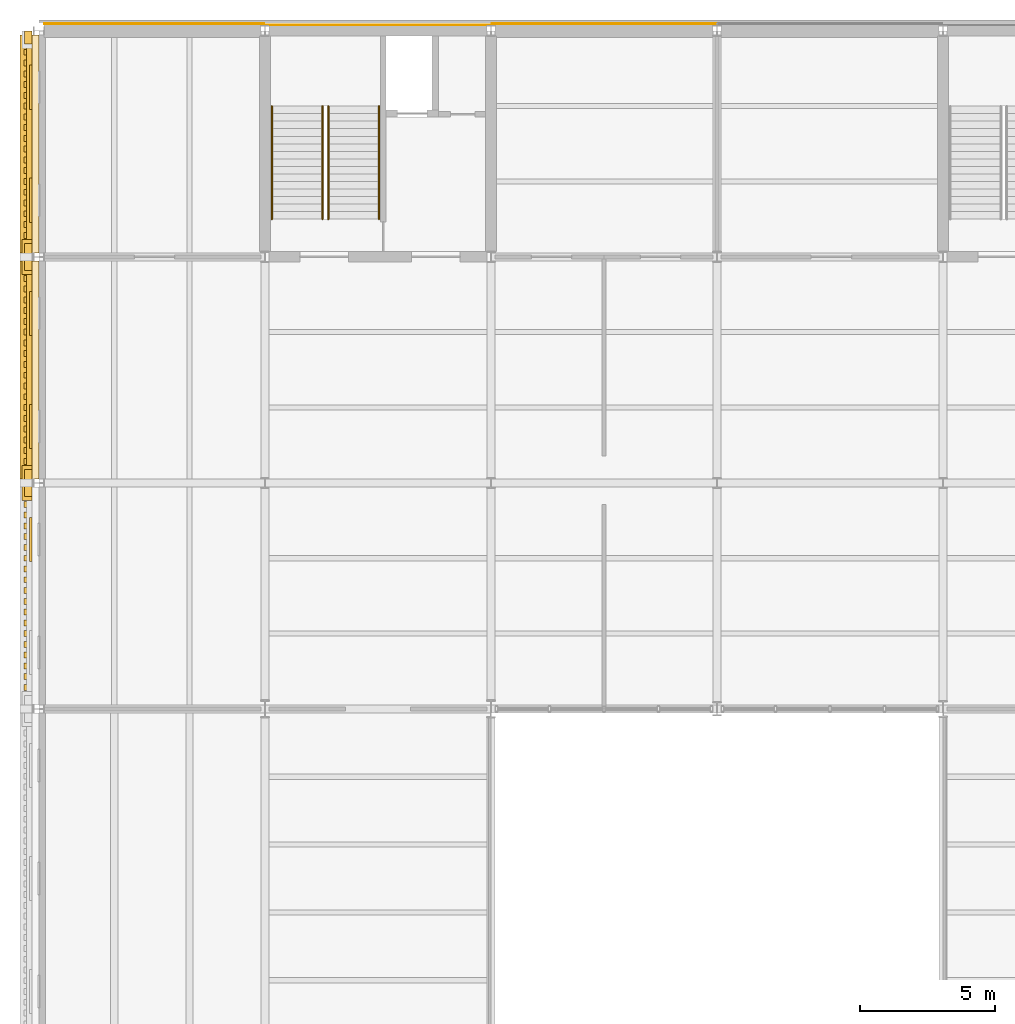
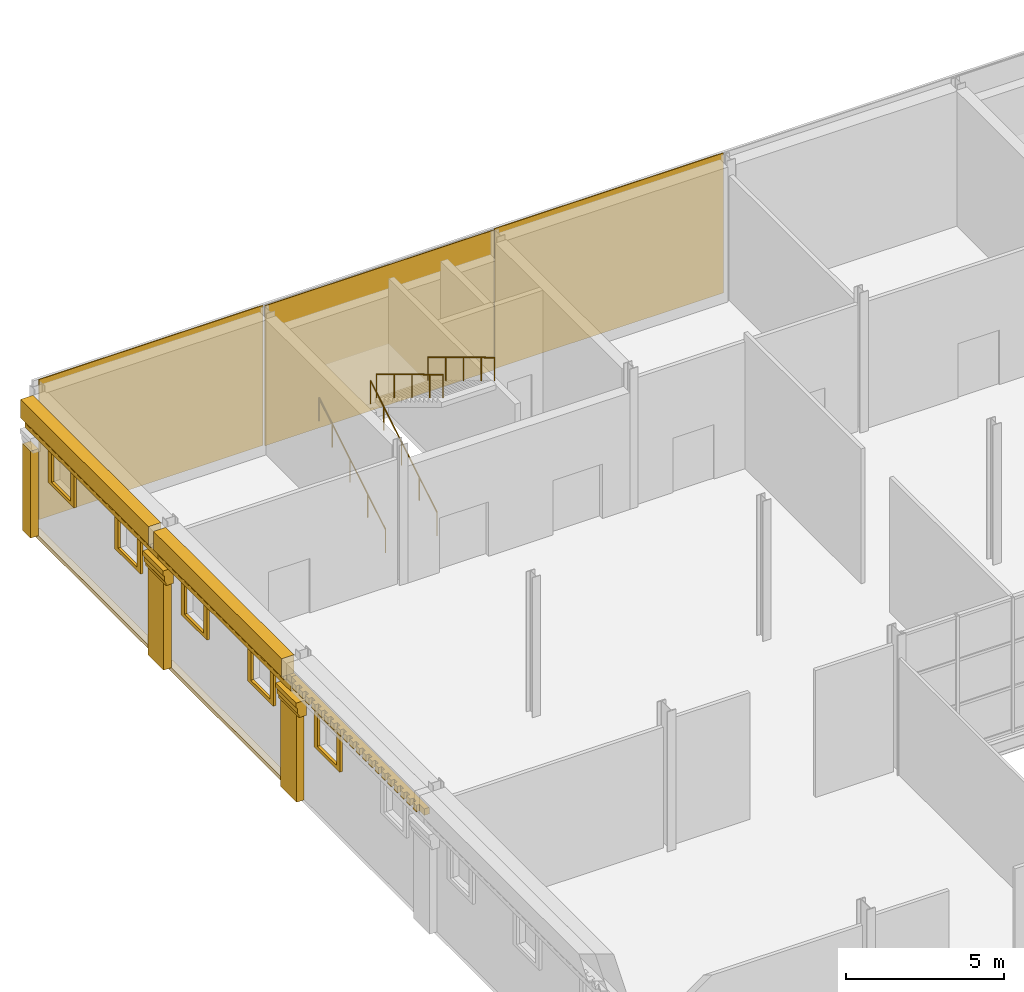
# One storey, part 41 of 57: 22 coverings, 4 railings.
"""IFC4 building model written with IfcOpenShell, lengths in metres."""

from ifc_helpers import new_model, si_unit, direction, frame, origin, origin_2d, place, context, subcontext, project, spatial, polyline, rectangle, circle, outline, extrude, material, layer, layer_set, type_object, element, save


model = new_model("IFC4")

# Units and contexts
model_context = context("Model", 3, precision=1e-05, world=origin(), true_north=direction((0.0, 1.0)))
body_context = subcontext(model_context, "Body", "Model", "MODEL_VIEW")
ifc_project = project(units=[si_unit("LENGTHUNIT", "METRE"), si_unit("AREAUNIT", "SQUARE_METRE"), si_unit("VOLUMEUNIT", "CUBIC_METRE"), si_unit("PLANEANGLEUNIT", "RADIAN"), si_unit("MASSUNIT", "GRAM", prefix="KILO")], contexts=[model_context])

# Site, building, storey
site_placement = place(None, origin())
site = spatial("IfcSite", under=ifc_project, at=site_placement, CompositionType="ELEMENT")
building_placement = place(site_placement, origin())
building = spatial("IfcBuilding", under=site, at=building_placement, Name="Galleria Vessillo Department Store", CompositionType="ELEMENT")
storey_placement = place(building_placement, frame((0.0, 0.0, 25.800048828125)))
storey = spatial("IfcBuildingStorey", under=building, at=storey_placement, Name="L05", CompositionType="ELEMENT", Elevation=25.800048828125)

# Coverings
ifc_material_1 = material(Name="Lime plaster (intonaco) ochre")
ifc_layer_1 = layer(ifc_material_1, 0.030029296875)
ifc_layer_set_1 = layer_set([ifc_layer_1], Name="Lime plaster (intonaco) ochre")
covering_type_1 = type_object("IfcCoveringType", Name="Lime plaster render 30 mm", PredefinedType="CLADDING", material=ifc_layer_set_1)
covering_1_placement = place(storey_placement, frame((4.284912109375, 63.264892578125, 0.0), z_axis=(0.0, 0.0, 1.0), x_axis=(1.0, 0.0, 0.0)))
element("IfcCovering", 1, at=covering_1_placement, inside=storey, type_object=covering_type_1, Name="Wall cladding S-PN-L05-01", PredefinedType="CLADDING", context=body_context, shape_type="SweptSolid", body=[
    extrude(rectangle(XDim=8.170166015625, YDim=0.030029296875, at=origin_2d()), origin(), (0.0, 0.0, 1.0), 5.39990234375),
])
for number, where, z_axis, x_axis, name in (
    (2, (12.599853515625, 63.215087890625, 0.0), (0.0, 0.0, 1.0), (1.0, 0.0, 0.0), "Wall cladding S-CW-PC-NW-PARTY-L05"),
    (3, (21.0, 63.264892578125, 0.0), (0.0, 0.0, 1.0), (1.0, 0.0, 0.0), "Wall cladding S-PN-L05-02"),
):
    element("IfcCovering", number, at=place(storey_placement, frame(where, z_axis=z_axis, x_axis=x_axis)), inside=storey, type_object=covering_type_1, Name=name, PredefinedType="CLADDING", context=body_context, shape_type="SweptSolid", body=[
        extrude(rectangle(XDim=8.340087890625, YDim=0.030029296875, at=origin_2d()), origin(), (0.0, 0.0, 1.0), 5.39990234375),
    ])
ifc_material_2 = material(Name="Botticino limestone ashlar", Category="masonry")
ifc_layer_2 = layer(ifc_material_2, 0.199951171875)
ifc_layer_set_2 = layer_set([ifc_layer_2], Name="Botticino limestone ashlar")
covering_type_2 = type_object("IfcCoveringType", Name="Limestone architrave band 200 x 300", PredefinedType="MOLDING", material=ifc_layer_set_2)
covering_2_placement = place(storey_placement, frame((-0.35009765625, 50.400146484375, 3.94970703125), z_axis=(0.0, 0.0, 1.0), x_axis=(1.0, 0.0, 0.0)))
element("IfcCovering", 4, at=covering_2_placement, inside=storey, type_object=covering_type_2, Name="Architrave band W y=46.2-54.6", PredefinedType="MOLDING", context=body_context, shape_type="SweptSolid", body=[
    extrude(rectangle(XDim=0.199951171875, YDim=8.400146484375, at=origin_2d()), origin(), (0.0, 0.0, 1.0), 0.300048828125),
])
covering_3_placement = place(storey_placement, frame((-0.35009765625, 58.800048828125, 3.94970703125), z_axis=(0.0, 0.0, 1.0), x_axis=(1.0, 0.0, 0.0)))
element("IfcCovering", 5, at=covering_3_placement, inside=storey, type_object=covering_type_2, Name="Architrave band W y=54.6-63.0", PredefinedType="MOLDING", context=body_context, shape_type="SweptSolid", body=[
    extrude(rectangle(XDim=0.199951171875, YDim=8.39990234375, at=origin_2d()), origin(), (0.0, 0.0, 1.0), 0.300048828125),
])
ifc_material_3 = material(Name="Botticino limestone ashlar", Category="masonry")
ifc_layer_3 = layer(ifc_material_3, 0.449951171875)
ifc_layer_set_3 = layer_set([ifc_layer_3], Name="Botticino limestone ashlar")
covering_type_3 = type_object("IfcCoveringType", Name="Limestone cornice 450 x 700", PredefinedType="MOLDING", material=ifc_layer_set_3)
covering_4_placement = place(storey_placement, frame((-0.47509765625, 50.39990234375, 4.5), z_axis=(0.0, 0.0, 1.0), x_axis=(1.0, 0.0, 0.0)))
element("IfcCovering", 6, at=covering_4_placement, inside=storey, type_object=covering_type_3, Name="Cornice SW-L05-06", PredefinedType="MOLDING", context=body_context, shape_type="SweptSolid", body=[
    extrude(rectangle(XDim=0.449951171875, YDim=8.10009765625, at=origin_2d()), origin(), (0.0, 0.0, 1.0), 0.699951171875),
])
covering_5_placement = place(storey_placement, frame((-0.47509765625, 58.800048828125, 4.5), z_axis=(0.0, 0.0, 1.0), x_axis=(1.0, 0.0, 0.0)))
element("IfcCovering", 7, at=covering_5_placement, inside=storey, type_object=covering_type_3, Name="Cornice SW-L05-07", PredefinedType="MOLDING", context=body_context, shape_type="SweptSolid", body=[
    extrude(rectangle(XDim=0.449951171875, YDim=8.099853515625, at=origin_2d()), origin(), (0.0, 0.0, 1.0), 0.699951171875),
])
ifc_material_4 = material(Name="Botticino limestone ashlar", Category="masonry")
ifc_layer_4 = layer(ifc_material_4, 0.300048828125)
ifc_layer_set_4 = layer_set([ifc_layer_4], Name="Botticino limestone ashlar")
covering_type_4 = type_object("IfcCoveringType", Name="Limestone dentil course 300 x 250", PredefinedType="MOLDING", material=ifc_layer_set_4)
covering_6_placement = place(storey_placement, frame((0.0, 0.0, 4.25)))
element("IfcCovering", 8, at=covering_6_placement, inside=storey, type_object=covering_type_4, Name="Dentil course W y=37.8-46.2", PredefinedType="MOLDING", context=body_context, shape_type="SweptSolid", body=[
    extrude(outline(polyline([(-0.25, 37.800048828125), (-0.429931640625, 37.800048828125), (-0.429931640625, 38.090087890625), (-0.550048828125, 38.090087890625), (-0.550048828125, 38.31005859375), (-0.429931640625, 38.31005859375), (-0.429931640625, 38.489990234375), (-0.550048828125, 38.489990234375), (-0.550048828125, 38.7099609375), (-0.429931640625, 38.7099609375), (-0.429931640625, 38.889892578125), (-0.550048828125, 38.889892578125), (-0.550048828125, 39.110107421875), (-0.429931640625, 39.110107421875), (-0.429931640625, 39.2900390625), (-0.550048828125, 39.2900390625), (-0.550048828125, 39.510009765625), (-0.429931640625, 39.510009765625), (-0.429931640625, 39.68994140625), (-0.550048828125, 39.68994140625), (-0.550048828125, 39.909912109375), (-0.429931640625, 39.909912109375), (-0.429931640625, 40.090087890625), (-0.550048828125, 40.090087890625), (-0.550048828125, 40.31005859375), (-0.429931640625, 40.31005859375), (-0.429931640625, 40.489990234375), (-0.550048828125, 40.489990234375), (-0.550048828125, 40.7099609375), (-0.429931640625, 40.7099609375), (-0.429931640625, 40.889892578125), (-0.550048828125, 40.889892578125), (-0.550048828125, 41.110107421875), (-0.429931640625, 41.110107421875), (-0.429931640625, 41.2900390625), (-0.550048828125, 41.2900390625), (-0.550048828125, 41.510009765625), (-0.429931640625, 41.510009765625), (-0.429931640625, 41.68994140625), (-0.550048828125, 41.68994140625), (-0.550048828125, 41.909912109375), (-0.429931640625, 41.909912109375), (-0.429931640625, 42.090087890625), (-0.550048828125, 42.090087890625), (-0.550048828125, 42.31005859375), (-0.429931640625, 42.31005859375), (-0.429931640625, 42.489990234375), (-0.550048828125, 42.489990234375), (-0.550048828125, 42.7099609375), (-0.429931640625, 42.7099609375), (-0.429931640625, 42.889892578125), (-0.550048828125, 42.889892578125), (-0.550048828125, 43.110107421875), (-0.429931640625, 43.110107421875), (-0.429931640625, 43.2900390625), (-0.550048828125, 43.2900390625), (-0.550048828125, 43.510009765625), (-0.429931640625, 43.510009765625), (-0.429931640625, 43.68994140625), (-0.550048828125, 43.68994140625), (-0.550048828125, 43.909912109375), (-0.429931640625, 43.909912109375), (-0.429931640625, 44.090087890625), (-0.550048828125, 44.090087890625), (-0.550048828125, 44.31005859375), (-0.429931640625, 44.31005859375), (-0.429931640625, 44.489990234375), (-0.550048828125, 44.489990234375), (-0.550048828125, 44.7099609375), (-0.429931640625, 44.7099609375), (-0.429931640625, 44.889892578125), (-0.550048828125, 44.889892578125), (-0.550048828125, 45.110107421875), (-0.429931640625, 45.110107421875), (-0.429931640625, 45.2900390625), (-0.550048828125, 45.2900390625), (-0.550048828125, 45.510009765625), (-0.429931640625, 45.510009765625), (-0.429931640625, 45.68994140625), (-0.550048828125, 45.68994140625), (-0.550048828125, 45.909912109375), (-0.429931640625, 45.909912109375), (-0.429931640625, 46.199951171875), (-0.25, 46.199951171875), (-0.25, 37.800048828125)])), origin(), (0.0, 0.0, 1.0), 0.25),
])
covering_7_placement = place(storey_placement, frame((0.0, 0.0, 4.25)))
element("IfcCovering", 9, at=covering_7_placement, inside=storey, type_object=covering_type_4, Name="Dentil course W y=46.2-54.6", PredefinedType="MOLDING", context=body_context, shape_type="SweptSolid", body=[
    extrude(outline(polyline([(-0.25, 46.199951171875), (-0.429931640625, 46.199951171875), (-0.429931640625, 46.489990234375), (-0.550048828125, 46.489990234375), (-0.550048828125, 46.7099609375), (-0.429931640625, 46.7099609375), (-0.429931640625, 46.889892578125), (-0.550048828125, 46.889892578125), (-0.550048828125, 47.110107421875), (-0.429931640625, 47.110107421875), (-0.429931640625, 47.2900390625), (-0.550048828125, 47.2900390625), (-0.550048828125, 47.510009765625), (-0.429931640625, 47.510009765625), (-0.429931640625, 47.68994140625), (-0.550048828125, 47.68994140625), (-0.550048828125, 47.909912109375), (-0.429931640625, 47.909912109375), (-0.429931640625, 48.090087890625), (-0.550048828125, 48.090087890625), (-0.550048828125, 48.31005859375), (-0.429931640625, 48.31005859375), (-0.429931640625, 48.489990234375), (-0.550048828125, 48.489990234375), (-0.550048828125, 48.7099609375), (-0.429931640625, 48.7099609375), (-0.429931640625, 48.889892578125), (-0.550048828125, 48.889892578125), (-0.550048828125, 49.110107421875), (-0.429931640625, 49.110107421875), (-0.429931640625, 49.2900390625), (-0.550048828125, 49.2900390625), (-0.550048828125, 49.510009765625), (-0.429931640625, 49.510009765625), (-0.429931640625, 49.68994140625), (-0.550048828125, 49.68994140625), (-0.550048828125, 49.909912109375), (-0.429931640625, 49.909912109375), (-0.429931640625, 50.090087890625), (-0.550048828125, 50.090087890625), (-0.550048828125, 50.31005859375), (-0.429931640625, 50.31005859375), (-0.429931640625, 50.489990234375), (-0.550048828125, 50.489990234375), (-0.550048828125, 50.7099609375), (-0.429931640625, 50.7099609375), (-0.429931640625, 50.889892578125), (-0.550048828125, 50.889892578125), (-0.550048828125, 51.110107421875), (-0.429931640625, 51.110107421875), (-0.429931640625, 51.2900390625), (-0.550048828125, 51.2900390625), (-0.550048828125, 51.510009765625), (-0.429931640625, 51.510009765625), (-0.429931640625, 51.68994140625), (-0.550048828125, 51.68994140625), (-0.550048828125, 51.909912109375), (-0.429931640625, 51.909912109375), (-0.429931640625, 52.090087890625), (-0.550048828125, 52.090087890625), (-0.550048828125, 52.31005859375), (-0.429931640625, 52.31005859375), (-0.429931640625, 52.489990234375), (-0.550048828125, 52.489990234375), (-0.550048828125, 52.7099609375), (-0.429931640625, 52.7099609375), (-0.429931640625, 52.889892578125), (-0.550048828125, 52.889892578125), (-0.550048828125, 53.110107421875), (-0.429931640625, 53.110107421875), (-0.429931640625, 53.2900390625), (-0.550048828125, 53.2900390625), (-0.550048828125, 53.510009765625), (-0.429931640625, 53.510009765625), (-0.429931640625, 53.68994140625), (-0.550048828125, 53.68994140625), (-0.550048828125, 53.909912109375), (-0.429931640625, 53.909912109375), (-0.429931640625, 54.090087890625), (-0.550048828125, 54.090087890625), (-0.550048828125, 54.31005859375), (-0.429931640625, 54.31005859375), (-0.429931640625, 54.60009765625), (-0.25, 54.60009765625), (-0.25, 46.199951171875)])), origin(), (0.0, 0.0, 1.0), 0.25),
])
covering_8_placement = place(storey_placement, frame((0.0, 0.0, 4.25)))
element("IfcCovering", 10, at=covering_8_placement, inside=storey, type_object=covering_type_4, Name="Dentil course W y=54.6-63.0", PredefinedType="MOLDING", context=body_context, shape_type="SweptSolid", body=[
    extrude(outline(polyline([(-0.25, 54.60009765625), (-0.429931640625, 54.60009765625), (-0.429931640625, 54.89013671875), (-0.550048828125, 54.89013671875), (-0.550048828125, 55.110107421875), (-0.429931640625, 55.110107421875), (-0.429931640625, 55.2900390625), (-0.550048828125, 55.2900390625), (-0.550048828125, 55.510009765625), (-0.429931640625, 55.510009765625), (-0.429931640625, 55.68994140625), (-0.550048828125, 55.68994140625), (-0.550048828125, 55.909912109375), (-0.429931640625, 55.909912109375), (-0.429931640625, 56.090087890625), (-0.550048828125, 56.090087890625), (-0.550048828125, 56.31005859375), (-0.429931640625, 56.31005859375), (-0.429931640625, 56.489990234375), (-0.550048828125, 56.489990234375), (-0.550048828125, 56.710205078125), (-0.429931640625, 56.710205078125), (-0.429931640625, 56.89013671875), (-0.550048828125, 56.89013671875), (-0.550048828125, 57.110107421875), (-0.429931640625, 57.110107421875), (-0.429931640625, 57.2900390625), (-0.550048828125, 57.2900390625), (-0.550048828125, 57.510009765625), (-0.429931640625, 57.510009765625), (-0.429931640625, 57.68994140625), (-0.550048828125, 57.68994140625), (-0.550048828125, 57.909912109375), (-0.429931640625, 57.909912109375), (-0.429931640625, 58.090087890625), (-0.550048828125, 58.090087890625), (-0.550048828125, 58.31005859375), (-0.429931640625, 58.31005859375), (-0.429931640625, 58.489990234375), (-0.550048828125, 58.489990234375), (-0.550048828125, 58.710205078125), (-0.429931640625, 58.710205078125), (-0.429931640625, 58.89013671875), (-0.550048828125, 58.89013671875), (-0.550048828125, 59.110107421875), (-0.429931640625, 59.110107421875), (-0.429931640625, 59.2900390625), (-0.550048828125, 59.2900390625), (-0.550048828125, 59.510009765625), (-0.429931640625, 59.510009765625), (-0.429931640625, 59.68994140625), (-0.550048828125, 59.68994140625), (-0.550048828125, 59.909912109375), (-0.429931640625, 59.909912109375), (-0.429931640625, 60.090087890625), (-0.550048828125, 60.090087890625), (-0.550048828125, 60.31005859375), (-0.429931640625, 60.31005859375), (-0.429931640625, 60.489990234375), (-0.550048828125, 60.489990234375), (-0.550048828125, 60.710205078125), (-0.429931640625, 60.710205078125), (-0.429931640625, 60.89013671875), (-0.550048828125, 60.89013671875), (-0.550048828125, 61.110107421875), (-0.429931640625, 61.110107421875), (-0.429931640625, 61.2900390625), (-0.550048828125, 61.2900390625), (-0.550048828125, 61.510009765625), (-0.429931640625, 61.510009765625), (-0.429931640625, 61.68994140625), (-0.550048828125, 61.68994140625), (-0.550048828125, 61.909912109375), (-0.429931640625, 61.909912109375), (-0.429931640625, 62.090087890625), (-0.550048828125, 62.090087890625), (-0.550048828125, 62.31005859375), (-0.429931640625, 62.31005859375), (-0.429931640625, 62.489990234375), (-0.550048828125, 62.489990234375), (-0.550048828125, 62.710205078125), (-0.429931640625, 62.710205078125), (-0.429931640625, 63.0), (-0.25, 63.0), (-0.25, 54.60009765625)])), origin(), (0.0, 0.0, 1.0), 0.25),
])
ifc_material_5 = material(Name="Botticino limestone ashlar", Category="masonry")
ifc_layer_5 = layer(ifc_material_5, 0.280029296875)
ifc_layer_set_5 = layer_set([ifc_layer_5], Name="Botticino limestone ashlar")
covering_type_5 = type_object("IfcCoveringType", Name="Limestone giant pilaster 1000 x 280", PredefinedType="CLADDING", material=ifc_layer_set_5)
for number, where, z_axis, x_axis, name in (
    (11, (-0.389892578125, 46.199951171875, 0.0), (0.0, 0.0, 1.0), (1.0, 0.0, 0.0), "Giant pilaster W L05 y=46.2"),
    (12, (-0.389892578125, 54.60009765625, 0.0), (0.0, 0.0, 1.0), (1.0, 0.0, 0.0), "Giant pilaster W L05 y=54.6"),
):
    element("IfcCovering", number, at=place(storey_placement, frame(where, z_axis=z_axis, x_axis=x_axis)), inside=storey, type_object=covering_type_5, Name=name, PredefinedType="CLADDING", context=body_context, shape_type="SweptSolid", body=[
        extrude(rectangle(XDim=0.280029296875, YDim=1.0, at=origin_2d()), origin(), (0.0, 0.0, 1.0), 3.35009765625),
    ])
covering_9_placement = place(storey_placement, frame((-0.389892578125, 62.75, 0.0), z_axis=(0.0, 0.0, 1.0), x_axis=(1.0, 0.0, 0.0)))
element("IfcCovering", 13, at=covering_9_placement, inside=storey, type_object=covering_type_5, Name="Giant pilaster W L05 y=63.0", PredefinedType="CLADDING", context=body_context, shape_type="SweptSolid", body=[
    extrude(rectangle(XDim=0.280029296875, YDim=0.5, at=origin_2d()), origin(), (0.0, 0.0, 1.0), 3.35009765625),
])
ifc_material_6 = material(Name="Botticino limestone ashlar", Category="masonry")
ifc_layer_6 = layer(ifc_material_6, 0.3798828125)
ifc_layer_set_6 = layer_set([ifc_layer_6], Name="Botticino limestone ashlar")
covering_type_6 = type_object("IfcCoveringType", Name="Limestone pilaster capital 1300 x 380 x 600", PredefinedType="MOLDING", material=ifc_layer_set_6)
for number, where, z_axis, x_axis, name in (
    (14, (0.0, 45.550048828125, 3.349853515625), (0.0, 1.0, 0.0), (-1.0, 0.0, 0.0), "Pilaster capital W y=46.2"),
    (15, (0.0, 53.9501953125, 3.349853515625), (0.0, 1.0, 0.0), (-1.0, 0.0, 0.0), "Pilaster capital W y=54.6"),
):
    element("IfcCovering", number, at=place(storey_placement, frame(where, z_axis=z_axis, x_axis=x_axis)), inside=storey, type_object=covering_type_6, Name=name, PredefinedType="MOLDING", context=body_context, shape_type="SweptSolid", body=[
        extrude(outline(polyline([(0.25, 0.0), (0.530029296875, 0.0), (0.530029296875, 0.10009765625), (0.580078125, 0.179931640625), (0.580078125, 0.3798828125), (0.6298828125, 0.419921875), (0.6298828125, 0.60009765625), (0.25, 0.60009765625), (0.25, 0.0)])), origin(), (0.0, 0.0, 1.0), 1.300048828125),
    ])
ifc_material_7 = material(Name="Botticino limestone ashlar", Category="masonry")
ifc_layer_7 = layer(ifc_material_7, 0.14990234375)
ifc_layer_set_7 = layer_set([ifc_layer_7], Name="Botticino limestone ashlar")
covering_type_7 = type_object("IfcCoveringType", Name="Limestone slab-edge fascia 150 mm", PredefinedType="CLADDING", material=ifc_layer_set_7)
covering_10_placement = place(storey_placement, frame((-0.125, 50.39990234375, -0.14990234375), z_axis=(0.0, 0.0, 1.0), x_axis=(1.0, 0.0, 0.0)))
element("IfcCovering", 16, at=covering_10_placement, inside=storey, type_object=covering_type_7, Name="Slab-edge fascia SW-L04-06", PredefinedType="CLADDING", context=body_context, shape_type="SweptSolid", body=[
    extrude(rectangle(XDim=0.25, YDim=8.10009765625, at=origin_2d()), origin(), (0.0, 0.0, 1.0), 0.14990234375),
])
covering_11_placement = place(storey_placement, frame((-0.125, 58.800048828125, -0.14990234375), z_axis=(0.0, 0.0, 1.0), x_axis=(1.0, 0.0, 0.0)))
element("IfcCovering", 17, at=covering_11_placement, inside=storey, type_object=covering_type_7, Name="Slab-edge fascia SW-L04-07", PredefinedType="CLADDING", context=body_context, shape_type="SweptSolid", body=[
    extrude(rectangle(XDim=0.25, YDim=8.099853515625, at=origin_2d()), origin(), (0.0, 0.0, 1.0), 0.14990234375),
])
ifc_material_8 = material(Name="Botticino limestone ashlar", Category="masonry")
ifc_layer_8 = layer(ifc_material_8, 0.10009765625)
ifc_layer_set_8 = layer_set([ifc_layer_8], Name="Botticino limestone ashlar")
covering_type_8 = type_object("IfcCoveringType", Name="Limestone window surround 100 mm", PredefinedType="CLADDING", material=ifc_layer_set_8)
covering_12_placement = place(storey_placement, frame((-0.25, 0.0, 2.699951171875), z_axis=(-1.0, 0.0, 0.0), x_axis=(0.0, -1.0, 0.0)))
element("IfcCovering", 18, at=covering_12_placement, inside=storey, type_object=covering_type_8, Name="Window surround W075", PredefinedType="CLADDING", context=body_context, shape_type="SweptSolid", body=[
    extrude(outline(polyline([(-43.280029296875, 1.25), (-44.919921875, 1.25), (-44.919921875, -0.139892578125), (-43.280029296875, -0.139892578125), (-43.280029296875, 1.25)]), holes=[polyline([(-43.5, 1.199951171875), (-44.699951171875, 1.199951171875), (-44.699951171875, 0.0), (-43.5, 0.0), (-43.5, 1.199951171875)])]), origin(), (0.0, 0.0, 1.0), 0.10009765625),
])
covering_13_placement = place(storey_placement, frame((-0.25, 0.0, 2.699951171875), z_axis=(-1.0, 0.0, 0.0), x_axis=(0.0, -1.0, 0.0)))
element("IfcCovering", 19, at=covering_13_placement, inside=storey, type_object=covering_type_8, Name="Window surround W076", PredefinedType="CLADDING", context=body_context, shape_type="SweptSolid", body=[
    extrude(outline(polyline([(-47.47998046875, 1.25), (-49.1201171875, 1.25), (-49.1201171875, -0.139892578125), (-47.47998046875, -0.139892578125), (-47.47998046875, 1.25)]), holes=[polyline([(-47.699951171875, 1.199951171875), (-48.89990234375, 1.199951171875), (-48.89990234375, 0.0), (-47.699951171875, 0.0), (-47.699951171875, 1.199951171875)])]), origin(), (0.0, 0.0, 1.0), 0.10009765625),
])
covering_14_placement = place(storey_placement, frame((-0.25, 0.0, 2.699951171875), z_axis=(-1.0, 0.0, 0.0), x_axis=(0.0, -1.0, 0.0)))
element("IfcCovering", 20, at=covering_14_placement, inside=storey, type_object=covering_type_8, Name="Window surround W077", PredefinedType="CLADDING", context=body_context, shape_type="SweptSolid", body=[
    extrude(outline(polyline([(-51.679931640625, 1.25), (-53.31982421875, 1.25), (-53.31982421875, -0.139892578125), (-51.679931640625, -0.139892578125), (-51.679931640625, 1.25)]), holes=[polyline([(-51.89990234375, 1.199951171875), (-53.099853515625, 1.199951171875), (-53.099853515625, 0.0), (-51.89990234375, 0.0), (-51.89990234375, 1.199951171875)])]), origin(), (0.0, 0.0, 1.0), 0.10009765625),
])
covering_15_placement = place(storey_placement, frame((-0.25, 0.0, 2.699951171875), z_axis=(-1.0, 0.0, 0.0), x_axis=(0.0, -1.0, 0.0)))
element("IfcCovering", 21, at=covering_15_placement, inside=storey, type_object=covering_type_8, Name="Window surround W078", PredefinedType="CLADDING", context=body_context, shape_type="SweptSolid", body=[
    extrude(outline(polyline([(-55.880126953125, 1.25), (-57.52001953125, 1.25), (-57.52001953125, -0.139892578125), (-55.880126953125, -0.139892578125), (-55.880126953125, 1.25)]), holes=[polyline([(-56.10009765625, 1.199951171875), (-57.300048828125, 1.199951171875), (-57.300048828125, 0.0), (-56.10009765625, 0.0), (-56.10009765625, 1.199951171875)])]), origin(), (0.0, 0.0, 1.0), 0.10009765625),
])
covering_16_placement = place(storey_placement, frame((-0.25, 0.0, 2.699951171875), z_axis=(-1.0, 0.0, 0.0), x_axis=(0.0, -1.0, 0.0)))
element("IfcCovering", 22, at=covering_16_placement, inside=storey, type_object=covering_type_8, Name="Window surround W079", PredefinedType="CLADDING", context=body_context, shape_type="SweptSolid", body=[
    extrude(outline(polyline([(-60.080078125, 1.25), (-61.719970703125, 1.25), (-61.719970703125, -0.139892578125), (-60.080078125, -0.139892578125), (-60.080078125, 1.25)]), holes=[polyline([(-60.300048828125, 1.199951171875), (-61.5, 1.199951171875), (-61.5, 0.0), (-60.300048828125, 0.0), (-60.300048828125, 1.199951171875)])]), origin(), (0.0, 0.0, 1.0), 0.10009765625),
])

# Railings
ifc_material_9 = material(Name="Stainless steel tube", Category="steel")
railing_type = type_object("IfcRailingType", Name="Stair handrail steel tube 48 mm", PredefinedType="HANDRAIL", material=ifc_material_9)
for number, where, name in (
    (23, (8.66015625, 56.0, 0.168701171875), "Handrail ST2 L05 flight 1A"),
    (24, (10.5400390625, 56.0, 0.168701171875), "Handrail ST2 L05 flight 1B"),
):
    element("IfcRailing", number, at=place(storey_placement, frame(where)), inside=storey, type_object=railing_type, Name=name, PredefinedType="HANDRAIL", context=body_context, shape_type="SweptSolid", body=[
        extrude(circle(Radius=0.02392578125, at=origin_2d()), frame((0.0, 0.0, 0.89599609375), z_axis=(0.0, 0.856486514401, 0.516169401116), x_axis=(-1.0, 0.0, 0.0)), (0.0, 0.0, 1.0), 1.307861328125),
        extrude(circle(Radius=0.02392578125, at=origin_2d()), frame((0.0, 1.1201171875, 1.57080078125), z_axis=(0.0, 0.856436765236, 0.516251941548), x_axis=(-1.0, 0.0, 0.0)), (0.0, 0.0, 1.0), 1.3076171875),
        extrude(circle(Radius=0.02392578125, at=origin_2d()), frame((0.0, 2.239990234375, 2.24609375), z_axis=(0.0, 0.856486514401, 0.516169401116), x_axis=(-1.0, 0.0, 0.0)), (0.0, 0.0, 1.0), 1.307861328125),
        extrude(circle(Radius=0.02392578125, at=origin_2d()), frame((0.0, 3.360107421875, 2.9208984375), z_axis=(0.0, 0.856502732318, 0.516142489563), x_axis=(-1.0, 0.0, 0.0)), (0.0, 0.0, 1.0), 0.98046875),
        extrude(circle(Radius=0.02099609375, at=origin_2d()), origin(), (0.0, 0.0, 1.0), 0.871826171875),
        extrude(circle(Radius=0.02099609375, at=origin_2d()), frame((0.0, 1.1201171875, 0.675048828125)), (0.0, 0.0, 1.0), 0.871826171875),
        extrude(circle(Radius=0.02099609375, at=origin_2d()), frame((0.0, 2.239990234375, 1.35009765625)), (0.0, 0.0, 1.0), 0.871826171875),
        extrude(circle(Radius=0.02099609375, at=origin_2d()), frame((0.0, 3.360107421875, 2.025146484375)), (0.0, 0.0, 1.0), 0.871826171875),
        extrude(circle(Radius=0.02099609375, at=origin_2d()), frame((0.0, 4.199951171875, 2.53125)), (0.0, 0.0, 1.0), 0.871826171875),
    ])
for number, where, name in (
    (25, (12.639892578125, 60.199951171875, 2.86865234375), "Handrail ST2 L05 flight 2A"),
    (26, (10.760009765625, 60.199951171875, 2.86865234375), "Handrail ST2 L05 flight 2B"),
):
    element("IfcRailing", number, at=place(storey_placement, frame(where)), inside=storey, type_object=railing_type, Name=name, PredefinedType="HANDRAIL", context=body_context, shape_type="SweptSolid", body=[
        extrude(circle(Radius=0.02392578125, at=origin_2d()), frame((0.0, 0.0, 0.89599609375), z_axis=(0.0, -0.856486514401, 0.516169401116), x_axis=(1.0, 0.0, 0.0)), (0.0, 0.0, 1.0), 1.307861328125),
        extrude(circle(Radius=0.02392578125, at=origin_2d()), frame((0.0, -1.1201171875, 1.57080078125), z_axis=(0.0, -0.856436765236, 0.516251941548), x_axis=(1.0, 0.0, 0.0)), (0.0, 0.0, 1.0), 1.3076171875),
        extrude(circle(Radius=0.02392578125, at=origin_2d()), frame((0.0, -2.239990234375, 2.24609375), z_axis=(0.0, -0.856486514401, 0.516169401116), x_axis=(1.0, 0.0, 0.0)), (0.0, 0.0, 1.0), 1.307861328125),
        extrude(circle(Radius=0.02392578125, at=origin_2d()), frame((0.0, -3.360107421875, 2.9208984375), z_axis=(0.0, -0.856502732318, 0.516142489563), x_axis=(1.0, 0.0, 0.0)), (0.0, 0.0, 1.0), 0.98046875),
        extrude(circle(Radius=0.02099609375, at=origin_2d()), origin(), (0.0, 0.0, 1.0), 0.871826171875),
        extrude(circle(Radius=0.02099609375, at=origin_2d()), frame((0.0, -1.1201171875, 0.675048828125)), (0.0, 0.0, 1.0), 0.871826171875),
        extrude(circle(Radius=0.02099609375, at=origin_2d()), frame((0.0, -2.239990234375, 1.35009765625)), (0.0, 0.0, 1.0), 0.871826171875),
        extrude(circle(Radius=0.02099609375, at=origin_2d()), frame((0.0, -3.360107421875, 2.025146484375)), (0.0, 0.0, 1.0), 0.871826171875),
        extrude(circle(Radius=0.02099609375, at=origin_2d()), frame((0.0, -4.199951171875, 2.53125)), (0.0, 0.0, 1.0), 0.871826171875),
    ])

save(model, "model.ifc")
